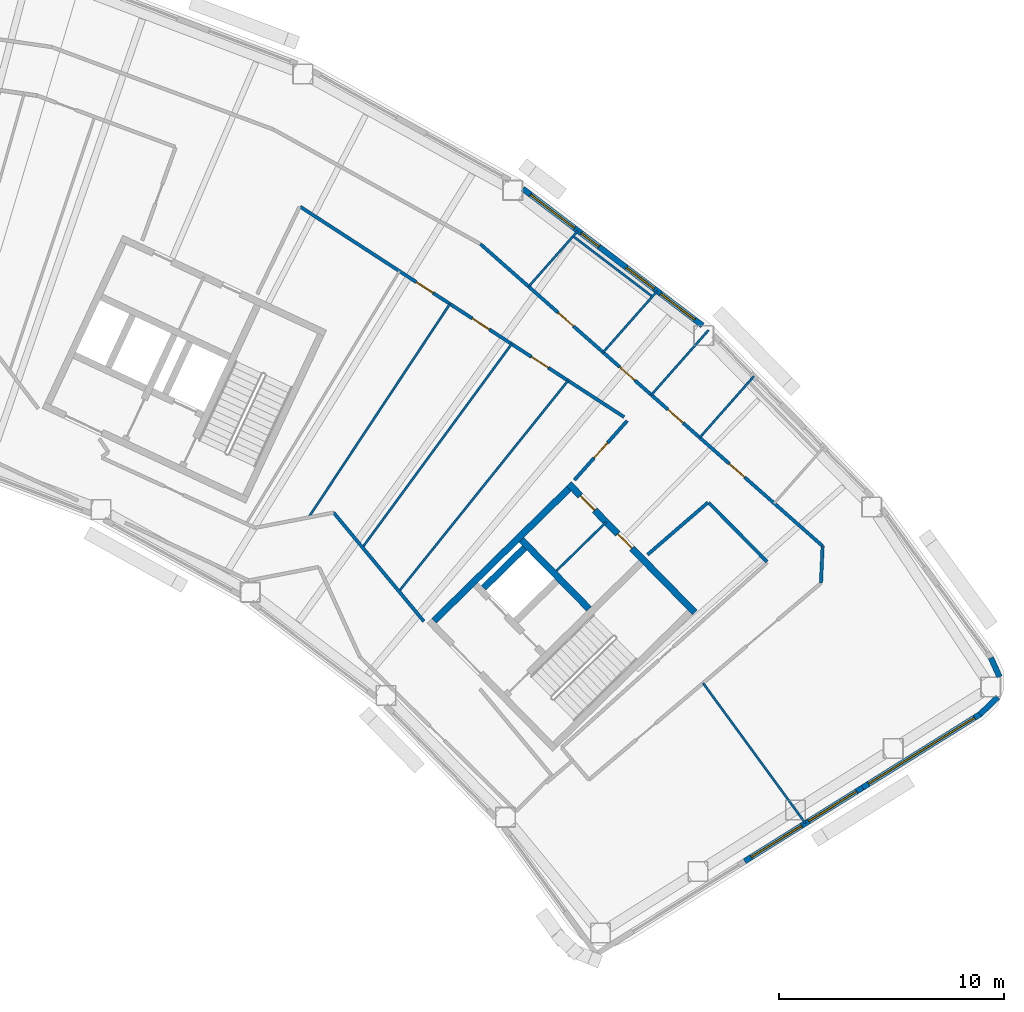
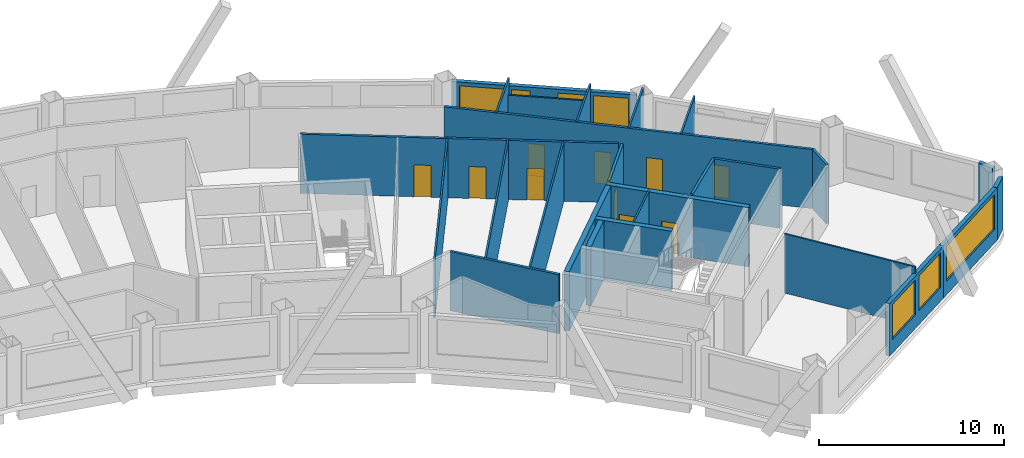
# One storey, part 10 of 14: 26 walls, 10 doors, 7 windows, 17 openings.
"""IFC4 building model written with IfcOpenShell, lengths in metres."""

import ifcopenshell
import ifcopenshell.guid

model = None  # the IFC model being written
_history = None  # IfcOwnerHistory: only IFC2X3 demands one
_inside = {}  # id of a spatial element -> (the spatial element, [elements in it])
_under = {}  # id of a project, library or spatial element -> (it, [spatial elements below it])
_declared = {}  # id of a project -> (the project, [libraries it declares])
_typed = {}  # id of a type object -> (the type object, [elements of that type])
_made_of = {}  # id of a material, layer set ... -> (it, [elements and type objects made of it])


def new_model(schema):
    """Start an empty IFC model of exactly this schema.

    Asked for "IFC4X3", IfcOpenShell would pick the latest addendum, in which some entities
    have other attributes; the version numbers below select the first issue.
    IFC2X3 requires an IfcOwnerHistory on every rooted entity: one is made here for all.
    """
    global model, _history
    if schema == "IFC4X3":
        model = ifcopenshell.file(schema_version=(4, 3, 0, 0))
    else:
        model = ifcopenshell.file(schema=schema)
    _inside.clear()
    _under.clear()
    _declared.clear()
    _typed.clear()
    _made_of.clear()
    _history = None
    if model.schema == "IFC2X3":
        org = make("IfcOrganization", Name="unknown")
        user = make(
            "IfcPersonAndOrganization",
            ThePerson=make("IfcPerson", FamilyName="unknown"),
            TheOrganization=org,
        )
        app = make(
            "IfcApplication",
            ApplicationDeveloper=org,
            Version="unknown",
            ApplicationFullName="unknown",
            ApplicationIdentifier="unknown",
        )
        _history = make(
            "IfcOwnerHistory",
            OwningUser=user,
            OwningApplication=app,
            ChangeAction="ADDED",
            CreationDate=0,
        )
    return model


def make(cls, **values):
    """One entity of the class cls with the attributes given. An attribute that is None is left unset."""
    return model.create_entity(
        cls, **{name: value for name, value in values.items() if value is not None}
    )


def rooted(cls, **values):
    """An entity with a GlobalId (a new one), such as an element, a storey or a relation."""
    return make(cls, GlobalId=ifcopenshell.guid.new(), OwnerHistory=_history, **values)


def si_unit(unit_type, name, prefix=None):
    """IfcSIUnit, for example si_unit("LENGTHUNIT", "METRE", prefix="MILLI")."""
    return make("IfcSIUnit", UnitType=unit_type, Prefix=prefix, Name=name)


def assignment(units):
    """IfcUnitAssignment: the units of a project."""
    return None if units is None else make("IfcUnitAssignment", Units=units)


def point(xyz):
    """IfcCartesianPoint."""
    return None if xyz is None else make("IfcCartesianPoint", Coordinates=xyz)


def direction(xyz):
    """IfcDirection."""
    return None if xyz is None else make("IfcDirection", DirectionRatios=xyz)


def frame(location, z_axis=None, x_axis=None):
    """IfcAxis2Placement3D, a coordinate frame: its origin and axes. An axis left out is left unset."""
    return make(
        "IfcAxis2Placement3D",
        Location=point(location),
        Axis=direction(z_axis),
        RefDirection=direction(x_axis),
    )


def frame_2d(location, x_axis=None):
    """IfcAxis2Placement2D, a coordinate frame in the plane: its origin and x axis."""
    return make(
        "IfcAxis2Placement2D", Location=point(location), RefDirection=direction(x_axis)
    )


def origin():
    """The frame at (0, 0, 0) with its axes left unset."""
    return frame((0.0, 0.0, 0.0))


def place(relative_to, where):
    """IfcLocalPlacement: puts the frame where relative to a parent placement (None: the world)."""
    return make(
        "IfcLocalPlacement", PlacementRelTo=relative_to, RelativePlacement=where
    )


def context(
    kind, dimensions, precision=None, world=None, true_north=None, identifier=None
):
    """IfcGeometricRepresentationContext, for example the 3D "Model" context."""
    return make(
        "IfcGeometricRepresentationContext",
        ContextIdentifier=identifier,
        ContextType=kind,
        CoordinateSpaceDimension=dimensions,
        Precision=precision,
        WorldCoordinateSystem=world,
        TrueNorth=true_north,
    )


def subcontext(parent, identifier, kind, view, scale=None):
    """IfcGeometricRepresentationSubContext, for example "Body" below "Model"."""
    return make(
        "IfcGeometricRepresentationSubContext",
        ContextIdentifier=identifier,
        ContextType=kind,
        ParentContext=parent,
        TargetScale=scale,
        TargetView=view,
    )


def project(units=None, contexts=None):
    """IfcProject with its units and contexts."""
    return rooted(
        "IfcProject",
        Name="project",
        RepresentationContexts=contexts,
        UnitsInContext=assignment(units),
    )


def spatial(cls, under=None, at=None, **own):
    """A site, building, storey or space (cls), placed at a placement, below another one or the project."""
    s = rooted(cls, ObjectPlacement=at, **own)
    if under is not None:
        _under.setdefault(under.id(), (under, []))[1].append(s)
    return s


def profile(cls, at=None, kind="AREA", **sizes):
    """A parametric profile (cls). Its sizes go by their IFC names, for example OverallWidth=200.0."""
    return make(cls, ProfileType=kind, Position=at, **sizes)


def rectangle(**sizes):
    """IfcRectangleProfileDef."""
    return profile("IfcRectangleProfileDef", **sizes)


def extrude(swept, where, along, depth):
    """IfcExtrudedAreaSolid: the profile swept, set in the frame where, extruded along a direction by depth."""
    return make(
        "IfcExtrudedAreaSolid",
        SweptArea=swept,
        Position=where,
        ExtrudedDirection=direction(along),
        Depth=depth,
    )


def shape(context_of_items, identifier, shape_type, items):
    """IfcShapeRepresentation: the items that make up one representation, for example the "Body"."""
    return make(
        "IfcShapeRepresentation",
        ContextOfItems=context_of_items,
        RepresentationIdentifier=identifier,
        RepresentationType=shape_type,
        Items=items,
    )


def material(Name=None, Category=None):
    """IfcMaterial."""
    return make("IfcMaterial", Name=Name, Category=Category)


def layer(
    of_material, thickness, ventilated=None, Name=None, Category=None, Priority=None
):
    """IfcMaterialLayer: one layer of a wall or slab, of a material (None: an air gap)."""
    return make(
        "IfcMaterialLayer",
        Material=of_material,
        LayerThickness=thickness,
        IsVentilated=ventilated,
        Name=Name,
        Category=Category,
        Priority=Priority,
    )


def layer_set(layers, Name=None):
    """IfcMaterialLayerSet."""
    return make("IfcMaterialLayerSet", MaterialLayers=layers, LayerSetName=Name)


def made_of(thing, what):
    """Note that an element or type object is made of a material, layer set ...; save() writes the relation."""
    if what is not None:
        _made_of.setdefault(what.id(), (what, []))[1].append(thing)
    return thing


def type_object(cls, material=None, **own):
    """A type object (cls), such as IfcWallType, which elements share."""
    return made_of(rooted(cls, **own), material)


def element(
    cls,
    number,
    at=None,
    inside=None,
    cuts=None,
    type_object=None,
    material=None,
    context=None,
    identifier="Body",
    shape_type=None,
    held_by="IfcProductDefinitionShape",
    body=None,
    shapes=None,
    **own,
):
    """One element of the class cls, such as IfcWall. Its Tag is "e" and its number.

    at: its placement. inside: the storey or other place that contains it. cuts: it is an
    opening in that element (IfcRelVoidsElement). A single representation is given by context,
    identifier, shape_type and body (its items); several are given by shapes. held_by: the class
    of the entity that holds the representations. save() writes the other relations.
    """
    e = rooted(cls, Tag="e%d" % number, ObjectPlacement=at, **own)
    if body is not None:
        shapes = [shape(context, identifier, shape_type, body)]
    if shapes is not None:
        e.Representation = make(held_by, Representations=shapes)
    if inside is not None:
        _inside.setdefault(inside.id(), (inside, []))[1].append(e)
    if cuts is not None:
        rooted(
            "IfcRelVoidsElement", RelatingBuildingElement=cuts, RelatedOpeningElement=e
        )
    if type_object is not None:
        _typed.setdefault(type_object.id(), (type_object, []))[1].append(e)
    return made_of(e, material)


def fill(opening, filler):
    """IfcRelFillsElement: the door or window that sits in an opening."""
    return rooted(
        "IfcRelFillsElement",
        RelatingOpeningElement=opening,
        RelatedBuildingElement=filler,
    )


def aggregate(whole, parts):
    """IfcRelAggregates: a whole, such as a stair, and the parts it consists of."""
    return rooted("IfcRelAggregates", RelatingObject=whole, RelatedObjects=parts)


def save(model, path):
    """Write the relations noted so far, then the file.

    IfcRelAggregates (storeys below a building ...), IfcRelContainedInSpatialStructure (elements
    in a storey), IfcRelDefinesByType, IfcRelAssociatesMaterial and IfcRelDeclares: one each for
    every whole, place, type object, material and project.
    """
    for whole, parts in _under.values():
        aggregate(whole, parts)
    for where, things in _inside.values():
        rooted(
            "IfcRelContainedInSpatialStructure",
            RelatedElements=things,
            RelatingStructure=where,
        )
    for kind, things in _typed.values():
        rooted("IfcRelDefinesByType", RelatedObjects=things, RelatingType=kind)
    for what, things in _made_of.values():
        rooted("IfcRelAssociatesMaterial", RelatedObjects=things, RelatingMaterial=what)
    for by, libraries in _declared.values():
        rooted("IfcRelDeclares", RelatingContext=by, RelatedDefinitions=libraries)
    model.write(path)


model = new_model("IFC4")

# Units and contexts
model_context = context("Model", 3, precision=1e-05, world=origin(), true_north=direction((0.0, 1.0)))
body_context = subcontext(model_context, "Body", "Model", "MODEL_VIEW")
ifc_project = project(units=[si_unit("LENGTHUNIT", "METRE"), si_unit("AREAUNIT", "SQUARE_METRE"), si_unit("VOLUMEUNIT", "CUBIC_METRE"), si_unit("PLANEANGLEUNIT", "RADIAN"), si_unit("MASSUNIT", "GRAM", prefix="KILO")], contexts=[model_context])

# Site, building, storey
site_placement = place(None, origin())
site = spatial("IfcSite", under=ifc_project, at=site_placement, CompositionType="ELEMENT")
building_placement = place(site_placement, origin())
building = spatial("IfcBuilding", under=site, at=building_placement, Name="Tuul Gate Civic Tower", CompositionType="ELEMENT")
storey_placement = place(building_placement, frame((0.0, 0.0, 217.89990234375)))
storey = spatial("IfcBuildingStorey", under=building, at=storey_placement, Name="Level 49", CompositionType="ELEMENT", Elevation=217.89990234375)

# Wall
ifc_material_1 = material(Name="Concrete C50/60", Category="concrete")
ifc_layer_1 = layer(ifc_material_1, 0.300048828125)
ifc_layer_set_1 = layer_set([ifc_layer_1], Name="Concrete C50/60")
wall_type_1 = type_object("IfcWallType", Name="Core wall C50/60", PredefinedType="SHEAR", material=ifc_layer_set_1)
wall_1_placement = place(storey_placement, frame((49.737060546875, -12.0849609375, 0.0), z_axis=(0.0, 0.0, 1.0), x_axis=(-0.700002721075, 0.714140175657, 0.0)))
element("IfcWall", 1, at=wall_1_placement, inside=storey, type_object=wall_type_1, Name="Core wall", PredefinedType="SHEAR", context=body_context, shape_type="SweptSolid", body=[
    extrude(rectangle(XDim=4.300048828125, YDim=0.300048828125, at=frame_2d((2.14990234375, 0.0))), origin(), (0.0, 0.0, 1.0), 3.900146484375),
])

# Wall, openings, doors
wall_2_placement = place(storey_placement, frame((54.43798828125, -12.23779296875, 0.0), z_axis=(0.0, 0.0, 1.0), x_axis=(-0.700021979774, 0.714121297703, 0.0)))
wall_2 = element("IfcWall", 2, at=wall_2_placement, inside=storey, type_object=wall_type_1, Name="Core wall", PredefinedType="SHEAR", context=body_context, shape_type="SweptSolid", body=[
    extrude(rectangle(XDim=8.0, YDim=0.300048828125, at=frame_2d((4.0, 0.0))), origin(), (0.0, 0.0, 1.0), 3.900146484375),
])
opening_1_placement = place(wall_2_placement, frame((3.987548828125, 0.0, 0.0)))
opening_1 = element("IfcOpeningElement", 3, at=opening_1_placement, cuts=wall_2, Name="Opening R-D45", PredefinedType="OPENING", context=body_context, shape_type="SweptSolid", body=[
    extrude(rectangle(XDim=0.89990234375, YDim=2.10009765625, at=frame_2d((0.449951171875, 1.050048828125))), frame((0.0, 0.16015625, 0.0), z_axis=(0.0, -1.0, 0.0), x_axis=(1.0, 0.0, 0.0)), (0.0, 0.0, 1.0), 0.320068359375),
])
opening_2_placement = place(wall_2_placement, frame((6.362548828125, 0.0, 0.0)))
opening_2 = element("IfcOpeningElement", 4, at=opening_2_placement, cuts=wall_2, Name="Opening R-D46", PredefinedType="OPENING", context=body_context, shape_type="SweptSolid", body=[
    extrude(rectangle(XDim=0.89990234375, YDim=2.10009765625, at=frame_2d((0.449951171875, 1.050048828125))), frame((0.0, 0.16015625, 0.0), z_axis=(0.0, -1.0, 0.0), x_axis=(1.0, 0.0, 0.0)), (0.0, 0.0, 1.0), 0.320068359375),
])
ifc_material_2 = material(Name="Timber door leaf", Category="wood")
door_type = type_object("IfcDoorType", Name="Door D09", OperationType="NOTDEFINED", PredefinedType="DOOR", material=ifc_material_2)
door_1_placement = place(opening_1_placement, origin())
door_1 = element("IfcDoor", 5, at=door_1_placement, inside=storey, type_object=door_type, Name="Door R-D45", OperationType="SINGLE_SWING_LEFT", OverallHeight=2.10009765625, OverallWidth=0.89990234375, PredefinedType="DOOR", context=body_context, shape_type="SweptSolid", body=[
    extrude(rectangle(XDim=0.89990234375, YDim=2.10009765625, at=frame_2d((0.449951171875, 1.050048828125))), frame((0.0, 0.02490234375, 0.0), z_axis=(0.0, -1.0, 0.0), x_axis=(1.0, 0.0, 0.0)), (0.0, 0.0, 1.0), 0.050048828125),
])
fill(opening_1, door_1)
door_2_placement = place(opening_2_placement, origin())
door_2 = element("IfcDoor", 6, at=door_2_placement, inside=storey, type_object=door_type, Name="Door R-D46", OperationType="SINGLE_SWING_LEFT", OverallHeight=2.10009765625, OverallWidth=0.89990234375, PredefinedType="DOOR", context=body_context, shape_type="SweptSolid", body=[
    extrude(rectangle(XDim=0.89990234375, YDim=2.10009765625, at=frame_2d((0.449951171875, 1.050048828125))), frame((0.0, 0.02490234375, 0.0), z_axis=(0.0, -1.0, 0.0), x_axis=(1.0, 0.0, 0.0)), (0.0, 0.0, 1.0), 0.050048828125),
])
fill(opening_2, door_2)

# Walls
wall_3_placement = place(storey_placement, frame((45.0439453125, -11.154052734375, 0.0), z_axis=(0.0, 0.0, 1.0), x_axis=(0.714108498262, 0.700035036773, 0.0)))
element("IfcWall", 7, at=wall_3_placement, inside=storey, type_object=wall_type_1, Name="Core wall", PredefinedType="SHEAR", context=body_context, shape_type="SweptSolid", body=[
    extrude(rectangle(XDim=2.550048828125, YDim=0.300048828125, at=frame_2d((1.27490234375, 0.0))), origin(), (0.0, 0.0, 1.0), 3.900146484375),
])
wall_4_placement = place(storey_placement, frame((42.837158203125, -12.616943359375, 0.0), z_axis=(0.0, 0.0, 1.0), x_axis=(0.714119844755, 0.700023461983, 0.0)))
element("IfcWall", 8, at=wall_4_placement, inside=storey, type_object=wall_type_1, Name="Core wall", PredefinedType="SHEAR", context=body_context, shape_type="SweptSolid", body=[
    extrude(rectangle(XDim=8.39990234375, YDim=0.300048828125, at=frame_2d((4.199951171875, 0.0))), origin(), (0.0, 0.0, 1.0), 3.900146484375),
])

# Wall, openings, doors
ifc_material_3 = material(Name="Gypsum board partition")
ifc_layer_2 = layer(ifc_material_3, 0.14990234375)
ifc_layer_set_2 = layer_set([ifc_layer_2], Name="Gypsum board partition")
wall_type_2 = type_object("IfcWallType", Name="Corridor wall P150", PredefinedType="PARTITIONING", material=ifc_layer_set_2)
wall_5_placement = place(storey_placement, frame((44.901611328125, 4.151611328125, 0.0), z_axis=(0.0, 0.0, 1.0), x_axis=(0.749748397093, -0.661723009315, 0.0)))
wall_5 = element("IfcWall", 9, at=wall_5_placement, inside=storey, type_object=wall_type_2, Name="p002", PredefinedType="PARTITIONING", context=body_context, shape_type="SweptSolid", body=[
    extrude(rectangle(XDim=20.310546875, YDim=0.14990234375, at=frame_2d((10.1552734375, 0.0))), origin(), (0.0, 0.0, 1.0), 3.900146484375),
])
opening_3_placement = place(wall_5_placement, frame((14.778564453125, 0.0, 0.0)))
opening_3 = element("IfcOpeningElement", 10, at=opening_3_placement, cuts=wall_5, Name="Opening R-D01", PredefinedType="OPENING", context=body_context, shape_type="SweptSolid", body=[
    extrude(rectangle(XDim=0.89990234375, YDim=2.10009765625, at=frame_2d((0.449951171875, 1.050048828125))), frame((0.0, 0.0849609375, 0.0), z_axis=(0.0, -1.0, 0.0), x_axis=(1.0, 0.0, 0.0)), (0.0, 0.0, 1.0), 0.169921875),
])
opening_4_placement = place(wall_5_placement, frame((4.6240234375, 0.0, 0.0)))
opening_4 = element("IfcOpeningElement", 11, at=opening_4_placement, cuts=wall_5, Name="Opening R-D02", PredefinedType="OPENING", context=body_context, shape_type="SweptSolid", body=[
    extrude(rectangle(XDim=0.89990234375, YDim=2.10009765625, at=frame_2d((0.449951171875, 1.050048828125))), frame((0.0, 0.0849609375, 0.0), z_axis=(0.0, -1.0, 0.0), x_axis=(1.0, 0.0, 0.0)), (0.0, 0.0, 1.0), 0.169921875),
])
opening_5_placement = place(wall_5_placement, frame((11.13232421875, 0.0, 0.0)))
opening_5 = element("IfcOpeningElement", 12, at=opening_5_placement, cuts=wall_5, Name="Opening R-D40", PredefinedType="OPENING", context=body_context, shape_type="SweptSolid", body=[
    extrude(rectangle(XDim=0.89990234375, YDim=2.10009765625, at=frame_2d((0.449951171875, 1.050048828125))), frame((0.0, 0.0849609375, 0.0), z_axis=(0.0, -1.0, 0.0), x_axis=(1.0, 0.0, 0.0)), (0.0, 0.0, 1.0), 0.169921875),
])
opening_6_placement = place(wall_5_placement, frame((8.26611328125, 0.0, 0.0)))
opening_6 = element("IfcOpeningElement", 13, at=opening_6_placement, cuts=wall_5, Name="Opening R-D41", PredefinedType="OPENING", context=body_context, shape_type="SweptSolid", body=[
    extrude(rectangle(XDim=0.89990234375, YDim=2.10009765625, at=frame_2d((0.449951171875, 1.050048828125))), frame((0.0, 0.0849609375, 0.0), z_axis=(0.0, -1.0, 0.0), x_axis=(1.0, 0.0, 0.0)), (0.0, 0.0, 1.0), 0.169921875),
])
door_3_placement = place(opening_3_placement, origin())
door_3 = element("IfcDoor", 14, at=door_3_placement, inside=storey, type_object=door_type, Name="Door R-D01", OperationType="SINGLE_SWING_RIGHT", OverallHeight=2.10009765625, OverallWidth=0.89990234375, PredefinedType="DOOR", context=body_context, shape_type="SweptSolid", body=[
    extrude(rectangle(XDim=0.89990234375, YDim=2.10009765625, at=frame_2d((0.449951171875, 1.050048828125))), frame((0.0, 0.02490234375, 0.0), z_axis=(0.0, -1.0, 0.0), x_axis=(1.0, 0.0, 0.0)), (0.0, 0.0, 1.0), 0.050048828125),
])
fill(opening_3, door_3)
door_4_placement = place(opening_4_placement, origin())
door_4 = element("IfcDoor", 15, at=door_4_placement, inside=storey, type_object=door_type, Name="Door R-D02", OperationType="SINGLE_SWING_RIGHT", OverallHeight=2.10009765625, OverallWidth=0.89990234375, PredefinedType="DOOR", context=body_context, shape_type="SweptSolid", body=[
    extrude(rectangle(XDim=0.89990234375, YDim=2.10009765625, at=frame_2d((0.449951171875, 1.050048828125))), frame((0.0, 0.02490234375, 0.0), z_axis=(0.0, -1.0, 0.0), x_axis=(1.0, 0.0, 0.0)), (0.0, 0.0, 1.0), 0.050048828125),
])
fill(opening_4, door_4)
door_5_placement = place(opening_5_placement, origin())
door_5 = element("IfcDoor", 16, at=door_5_placement, inside=storey, type_object=door_type, Name="Door R-D40", OperationType="SINGLE_SWING_RIGHT", OverallHeight=2.10009765625, OverallWidth=0.89990234375, PredefinedType="DOOR", context=body_context, shape_type="SweptSolid", body=[
    extrude(rectangle(XDim=0.89990234375, YDim=2.10009765625, at=frame_2d((0.449951171875, 1.050048828125))), frame((0.0, 0.02490234375, 0.0), z_axis=(0.0, -1.0, 0.0), x_axis=(1.0, 0.0, 0.0)), (0.0, 0.0, 1.0), 0.050048828125),
])
fill(opening_5, door_5)
door_6_placement = place(opening_6_placement, origin())
door_6 = element("IfcDoor", 17, at=door_6_placement, inside=storey, type_object=door_type, Name="Door R-D41", OperationType="SINGLE_SWING_RIGHT", OverallHeight=2.10009765625, OverallWidth=0.89990234375, PredefinedType="DOOR", context=body_context, shape_type="SweptSolid", body=[
    extrude(rectangle(XDim=0.89990234375, YDim=2.10009765625, at=frame_2d((0.449951171875, 1.050048828125))), frame((0.0, 0.02490234375, 0.0), z_axis=(0.0, -1.0, 0.0), x_axis=(1.0, 0.0, 0.0)), (0.0, 0.0, 1.0), 0.050048828125),
])
fill(opening_6, door_6)

# Walls
wall_6_placement = place(storey_placement, frame((38.372314453125, -7.80126953125, 0.0), z_axis=(0.0, 0.0, 1.0), x_axis=(0.638685522196, -0.769467870504, 0.0)))
element("IfcWall", 18, at=wall_6_placement, inside=storey, type_object=wall_type_2, Name="p042", PredefinedType="PARTITIONING", context=body_context, shape_type="SweptSolid", body=[
    extrude(rectangle(XDim=6.285400390625, YDim=0.14990234375, at=frame_2d((3.142578125, 0.0))), origin(), (0.0, 0.0, 1.0), 3.900146484375),
])
wall_7_placement = place(storey_placement, frame((52.342041015625, -9.67041015625, 0.0), z_axis=(0.0, 0.0, 1.0), x_axis=(0.756530576772, 0.653958321615, 0.0)))
element("IfcWall", 19, at=wall_7_placement, inside=storey, type_object=wall_type_2, Name="p045", PredefinedType="PARTITIONING", context=body_context, shape_type="SweptSolid", body=[
    extrude(rectangle(XDim=3.548828125, YDim=0.14990234375, at=frame_2d((1.7744140625, 0.0))), origin(), (0.0, 0.0, 1.0), 3.900146484375),
])
wall_8_placement = place(storey_placement, frame((55.054931640625, -7.350830078125, 0.0), z_axis=(0.0, 0.0, 1.0), x_axis=(0.702549843229, -0.711634539478, 0.0)))
element("IfcWall", 20, at=wall_8_placement, inside=storey, type_object=wall_type_2, Name="p046", PredefinedType="PARTITIONING", context=body_context, shape_type="SweptSolid", body=[
    extrude(rectangle(XDim=3.70849609375, YDim=0.14990234375, at=frame_2d((1.854248046875, 0.0))), origin(), (0.0, 0.0, 1.0), 3.900146484375),
])

# Wall, openings, doors
wall_9_placement = place(storey_placement, frame((36.884521484375, 5.811767578125, 0.0), z_axis=(0.0, 0.0, 1.0), x_axis=(0.838708980569, -0.544579880195, 0.0)))
wall_9 = element("IfcWall", 21, at=wall_9_placement, inside=storey, type_object=wall_type_2, Name="p050", PredefinedType="PARTITIONING", context=body_context, shape_type="SweptSolid", body=[
    extrude(rectangle(XDim=17.187744140625, YDim=0.14990234375, at=frame_2d((8.59375, 0.0))), origin(), (0.0, 0.0, 1.0), 3.900146484375),
])
opening_7_placement = place(wall_9_placement, frame((12.264404296875, 0.0, 0.0)))
opening_7 = element("IfcOpeningElement", 22, at=opening_7_placement, cuts=wall_9, Name="Opening R-D13", PredefinedType="OPENING", context=body_context, shape_type="SweptSolid", body=[
    extrude(rectangle(XDim=0.89990234375, YDim=2.10009765625, at=frame_2d((0.449951171875, 1.050048828125))), frame((0.0, 0.0849609375, 0.0), z_axis=(0.0, -1.0, 0.0), x_axis=(1.0, 0.0, 0.0)), (0.0, 0.0, 1.0), 0.169921875),
])
opening_8_placement = place(wall_9_placement, frame((9.13134765625, 0.0, 0.0)))
opening_8 = element("IfcOpeningElement", 23, at=opening_8_placement, cuts=wall_9, Name="Opening R-D14", PredefinedType="OPENING", context=body_context, shape_type="SweptSolid", body=[
    extrude(rectangle(XDim=0.89990234375, YDim=2.10009765625, at=frame_2d((0.449951171875, 1.050048828125))), frame((0.0, 0.0849609375, 0.0), z_axis=(0.0, -1.0, 0.0), x_axis=(1.0, 0.0, 0.0)), (0.0, 0.0, 1.0), 0.169921875),
])
opening_9_placement = place(wall_9_placement, frame((6.156005859375, 0.0, 0.0)))
opening_9 = element("IfcOpeningElement", 24, at=opening_9_placement, cuts=wall_9, Name="Opening R-D15", PredefinedType="OPENING", context=body_context, shape_type="SweptSolid", body=[
    extrude(rectangle(XDim=0.89990234375, YDim=2.10009765625, at=frame_2d((0.449951171875, 1.050048828125))), frame((0.0, 0.0849609375, 0.0), z_axis=(0.0, -1.0, 0.0), x_axis=(1.0, 0.0, 0.0)), (0.0, 0.0, 1.0), 0.169921875),
])
door_7_placement = place(opening_7_placement, frame((0.89990234375, 0.0, 0.0), z_axis=(0.0, 0.0, 1.0), x_axis=(-1.0, 0.0, 0.0)))
door_7 = element("IfcDoor", 25, at=door_7_placement, inside=storey, type_object=door_type, Name="Door R-D13", OperationType="SINGLE_SWING_LEFT", OverallHeight=2.10009765625, OverallWidth=0.89990234375, PredefinedType="DOOR", context=body_context, shape_type="SweptSolid", body=[
    extrude(rectangle(XDim=0.89990234375, YDim=2.10009765625, at=frame_2d((0.449951171875, 1.050048828125))), frame((0.0, 0.02490234375, 0.0), z_axis=(0.0, -1.0, 0.0), x_axis=(1.0, 0.0, 0.0)), (0.0, 0.0, 1.0), 0.050048828125),
])
fill(opening_7, door_7)
door_8_placement = place(opening_8_placement, frame((0.89990234375, 0.0, 0.0), z_axis=(0.0, 0.0, 1.0), x_axis=(-1.0, 0.0, 0.0)))
door_8 = element("IfcDoor", 26, at=door_8_placement, inside=storey, type_object=door_type, Name="Door R-D14", OperationType="SINGLE_SWING_LEFT", OverallHeight=2.10009765625, OverallWidth=0.89990234375, PredefinedType="DOOR", context=body_context, shape_type="SweptSolid", body=[
    extrude(rectangle(XDim=0.89990234375, YDim=2.10009765625, at=frame_2d((0.449951171875, 1.050048828125))), frame((0.0, 0.02490234375, 0.0), z_axis=(0.0, -1.0, 0.0), x_axis=(1.0, 0.0, 0.0)), (0.0, 0.0, 1.0), 0.050048828125),
])
fill(opening_8, door_8)
door_9_placement = place(opening_9_placement, frame((0.89990234375, 0.0, 0.0), z_axis=(0.0, 0.0, 1.0), x_axis=(-1.0, 0.0, 0.0)))
door_9 = element("IfcDoor", 27, at=door_9_placement, inside=storey, type_object=door_type, Name="Door R-D15", OperationType="SINGLE_SWING_LEFT", OverallHeight=2.10009765625, OverallWidth=0.89990234375, PredefinedType="DOOR", context=body_context, shape_type="SweptSolid", body=[
    extrude(rectangle(XDim=0.89990234375, YDim=2.10009765625, at=frame_2d((0.449951171875, 1.050048828125))), frame((0.0, 0.02490234375, 0.0), z_axis=(0.0, -1.0, 0.0), x_axis=(1.0, 0.0, 0.0)), (0.0, 0.0, 1.0), 0.050048828125),
])
fill(opening_9, door_9)

# Wall, opening, door
wall_10_placement = place(storey_placement, frame((49.08740234375, -6.349853515625, 0.0), z_axis=(0.0, 0.0, 1.0), x_axis=(0.664668424828, 0.747138464434, 0.0)))
wall_10 = element("IfcWall", 28, at=wall_10_placement, inside=storey, type_object=wall_type_2, Name="p051", PredefinedType="PARTITIONING", context=body_context, shape_type="SweptSolid", body=[
    extrude(rectangle(XDim=3.53173828125, YDim=0.14990234375, at=frame_2d((1.765869140625, 0.0))), origin(), (0.0, 0.0, 1.0), 3.900146484375),
])
opening_10_placement = place(wall_10_placement, frame((1.31591796875, 0.0, 0.0)))
opening_10 = element("IfcOpeningElement", 29, at=opening_10_placement, cuts=wall_10, Name="Opening R-D12", PredefinedType="OPENING", context=body_context, shape_type="SweptSolid", body=[
    extrude(rectangle(XDim=0.89990234375, YDim=2.10009765625, at=frame_2d((0.449951171875, 1.050048828125))), frame((0.0, 0.0849609375, 0.0), z_axis=(0.0, -1.0, 0.0), x_axis=(1.0, 0.0, 0.0)), (0.0, 0.0, 1.0), 0.169921875),
])
door_10_placement = place(opening_10_placement, origin())
door_10 = element("IfcDoor", 30, at=door_10_placement, inside=storey, type_object=door_type, Name="Door R-D12", OperationType="SINGLE_SWING_RIGHT", OverallHeight=2.10009765625, OverallWidth=0.89990234375, PredefinedType="DOOR", context=body_context, shape_type="SweptSolid", body=[
    extrude(rectangle(XDim=0.89990234375, YDim=2.10009765625, at=frame_2d((0.449951171875, 1.050048828125))), frame((0.0, 0.02490234375, 0.0), z_axis=(0.0, -1.0, 0.0), x_axis=(1.0, 0.0, 0.0)), (0.0, 0.0, 1.0), 0.050048828125),
])
fill(opening_10, door_10)

# Walls
wall_11_placement = place(storey_placement, frame((60.05615234375, -10.93701171875, 0.0), z_axis=(0.0, 0.0, 1.0), x_axis=(0.044380927641, 0.999014681204, 0.0)))
element("IfcWall", 31, at=wall_11_placement, inside=storey, type_object=wall_type_2, Name="p109", PredefinedType="PARTITIONING", context=body_context, shape_type="SweptSolid", body=[
    extrude(rectangle(XDim=1.650390625, YDim=0.14990234375, at=frame_2d((0.8251953125, 0.0))), origin(), (0.0, 0.0, 1.0), 3.900146484375),
])
ifc_material_4 = material(Name="Precast concrete C40/50", Category="concrete")
ifc_layer_3 = layer(ifc_material_4, 0.25)
ifc_layer_set_3 = layer_set([ifc_layer_3], Name="Precast concrete C40/50")
wall_type_3 = type_object("IfcWallType", Name="External wall", PredefinedType="STANDARD", material=ifc_layer_set_3)
wall_12_placement = place(storey_placement, frame((67.129638671875, -16.775634765625, 0.0), z_axis=(0.0, 0.0, 1.0), x_axis=(0.722112640162, 0.691775494592, 0.0)))
element("IfcWall", 32, at=wall_12_placement, inside=storey, type_object=wall_type_3, Name="External wall", PredefinedType="STANDARD", context=body_context, shape_type="SweptSolid", body=[
    extrude(rectangle(XDim=1.1025390625, YDim=0.25, at=frame_2d((0.55126953125, 0.0))), origin(), (0.0, 0.0, 1.0), 3.4501953125),
])
wall_13_placement = place(storey_placement, frame((68.0029296875, -15.113037109375, 0.0), z_axis=(0.0, 0.0, 1.0), x_axis=(-0.411921142617, 0.911219497303, 0.0)))
element("IfcWall", 33, at=wall_13_placement, inside=storey, type_object=wall_type_3, Name="External wall", PredefinedType="STANDARD", context=body_context, shape_type="SweptSolid", body=[
    extrude(rectangle(XDim=0.938720703125, YDim=0.25, at=frame_2d((0.46923828125, 0.0))), origin(), (0.0, 0.0, 1.0), 3.4501953125),
])

# Wall, openings, windows
wall_14_placement = place(storey_placement, frame((54.782470703125, 0.52490234375, 0.0), z_axis=(0.0, 0.0, 1.0), x_axis=(-0.795600211162, 0.605822006862, 0.0)))
wall_14 = element("IfcWall", 34, at=wall_14_placement, inside=storey, type_object=wall_type_3, Name="External wall", PredefinedType="STANDARD", context=body_context, shape_type="SweptSolid", body=[
    extrude(rectangle(XDim=10.043212890625, YDim=0.25, at=frame_2d((5.021484375, 0.0))), origin(), (0.0, 0.0, 1.0), 3.4501953125),
])
opening_11_placement = place(wall_14_placement, frame((5.784912109375, 0.0, 0.89990234375)))
opening_11 = element("IfcOpeningElement", 35, at=opening_11_placement, cuts=wall_14, Name="Opening W57", PredefinedType="OPENING", context=body_context, shape_type="SweptSolid", body=[
    extrude(rectangle(XDim=1.0, YDim=2.300048828125, at=frame_2d((0.5, 1.14990234375))), frame((0.0, 0.135009765625, 0.0), z_axis=(0.0, -1.0, 0.0), x_axis=(1.0, 0.0, 0.0)), (0.0, 0.0, 1.0), 0.27001953125),
])
opening_12_placement = place(wall_14_placement, frame((7.159912109375, 0.0, 0.89990234375)))
opening_12 = element("IfcOpeningElement", 36, at=opening_12_placement, cuts=wall_14, Name="Opening W56", PredefinedType="OPENING", context=body_context, shape_type="SweptSolid", body=[
    extrude(rectangle(XDim=2.449951171875, YDim=2.300048828125, at=frame_2d((1.22509765625, 1.14990234375))), frame((0.0, 0.135009765625, 0.0), z_axis=(0.0, -1.0, 0.0), x_axis=(1.0, 0.0, 0.0)), (0.0, 0.0, 1.0), 0.27001953125),
])
opening_13_placement = place(wall_14_placement, frame((0.433349609375, 0.0, 0.89990234375)))
opening_13 = element("IfcOpeningElement", 37, at=opening_13_placement, cuts=wall_14, Name="Opening W59", PredefinedType="OPENING", context=body_context, shape_type="SweptSolid", body=[
    extrude(rectangle(XDim=1.89990234375, YDim=2.300048828125, at=frame_2d((0.949951171875, 1.14990234375))), frame((0.0, 0.135009765625, 0.0), z_axis=(0.0, -1.0, 0.0), x_axis=(1.0, 0.0, 0.0)), (0.0, 0.0, 1.0), 0.27001953125),
])
opening_14_placement = place(wall_14_placement, frame((2.708251953125, 0.0, 0.89990234375)))
opening_14 = element("IfcOpeningElement", 38, at=opening_14_placement, cuts=wall_14, Name="Opening W60", PredefinedType="OPENING", context=body_context, shape_type="SweptSolid", body=[
    extrude(rectangle(XDim=1.550048828125, YDim=2.300048828125, at=frame_2d((0.77490234375, 1.14990234375))), frame((0.0, 0.135009765625, 0.0), z_axis=(0.0, -1.0, 0.0), x_axis=(1.0, 0.0, 0.0)), (0.0, 0.0, 1.0), 0.27001953125),
])
ifc_material_5 = material(Name="Glass", Category="glass")
window_type_1 = type_object("IfcWindowType", Name="Window 1000 x 2300", PartitioningType="SINGLE_PANEL", PredefinedType="WINDOW", material=ifc_material_5)
window_1_placement = place(opening_11_placement, origin())
window_1 = element("IfcWindow", 39, at=window_1_placement, inside=storey, type_object=window_type_1, Name="Window", OverallHeight=2.300048828125, OverallWidth=1.0, PartitioningType="SINGLE_PANEL", PredefinedType="WINDOW", context=body_context, shape_type="SweptSolid", body=[
    extrude(rectangle(XDim=1.0, YDim=2.300048828125, at=frame_2d((0.5, 1.14990234375))), frame((0.0, 0.030029296875, 0.0), z_axis=(0.0, -1.0, 0.0), x_axis=(1.0, 0.0, 0.0)), (0.0, 0.0, 1.0), 0.06005859375),
])
fill(opening_11, window_1)
ifc_material_6 = material(Name="Glass", Category="glass")
window_type_2 = type_object("IfcWindowType", Name="Window 1550 x 2300", PartitioningType="SINGLE_PANEL", PredefinedType="WINDOW", material=ifc_material_6)
window_2_placement = place(opening_14_placement, origin())
window_2 = element("IfcWindow", 40, at=window_2_placement, inside=storey, type_object=window_type_2, Name="Window", OverallHeight=2.300048828125, OverallWidth=1.550048828125, PartitioningType="SINGLE_PANEL", PredefinedType="WINDOW", context=body_context, shape_type="SweptSolid", body=[
    extrude(rectangle(XDim=1.550048828125, YDim=2.300048828125, at=frame_2d((0.77490234375, 1.14990234375))), frame((0.0, 0.030029296875, 0.0), z_axis=(0.0, -1.0, 0.0), x_axis=(1.0, 0.0, 0.0)), (0.0, 0.0, 1.0), 0.06005859375),
])
fill(opening_14, window_2)
ifc_material_7 = material(Name="Glass", Category="glass")
window_type_3 = type_object("IfcWindowType", Name="Window 1900 x 2300", PartitioningType="SINGLE_PANEL", PredefinedType="WINDOW", material=ifc_material_7)
window_3_placement = place(opening_13_placement, origin())
window_3 = element("IfcWindow", 41, at=window_3_placement, inside=storey, type_object=window_type_3, Name="Window", OverallHeight=2.300048828125, OverallWidth=1.89990234375, PartitioningType="SINGLE_PANEL", PredefinedType="WINDOW", context=body_context, shape_type="SweptSolid", body=[
    extrude(rectangle(XDim=1.89990234375, YDim=2.300048828125, at=frame_2d((0.949951171875, 1.14990234375))), frame((0.0, 0.030029296875, 0.0), z_axis=(0.0, -1.0, 0.0), x_axis=(1.0, 0.0, 0.0)), (0.0, 0.0, 1.0), 0.06005859375),
])
fill(opening_13, window_3)
ifc_material_8 = material(Name="Glass", Category="glass")
window_type_4 = type_object("IfcWindowType", Name="Window 2450 x 2300", PartitioningType="SINGLE_PANEL", PredefinedType="WINDOW", material=ifc_material_8)
window_4_placement = place(opening_12_placement, origin())
window_4 = element("IfcWindow", 42, at=window_4_placement, inside=storey, type_object=window_type_4, Name="Window", OverallHeight=2.300048828125, OverallWidth=2.449951171875, PartitioningType="SINGLE_PANEL", PredefinedType="WINDOW", context=body_context, shape_type="SweptSolid", body=[
    extrude(rectangle(XDim=2.449951171875, YDim=2.300048828125, at=frame_2d((1.22509765625, 1.14990234375))), frame((0.0, 0.030029296875, 0.0), z_axis=(0.0, -1.0, 0.0), x_axis=(1.0, 0.0, 0.0)), (0.0, 0.0, 1.0), 0.06005859375),
])
fill(opening_12, window_4)

wall_15_placement = place(storey_placement, frame((56.6630859375, -23.312744140625, 0.0), z_axis=(0.0, 0.0, 1.0), x_axis=(0.848053758074, 0.529910203164, 0.0)))
wall_15 = element("IfcWall", 43, at=wall_15_placement, inside=storey, type_object=wall_type_3, Name="External wall", PredefinedType="STANDARD", context=body_context, shape_type="SweptSolid", body=[
    extrude(rectangle(XDim=6.182861328125, YDim=0.25, at=frame_2d((3.09130859375, 0.0))), origin(), (0.0, 0.0, 1.0), 3.4501953125),
])
opening_15_placement = place(wall_15_placement, frame((0.339111328125, 0.0, 0.89990234375)))
opening_15 = element("IfcOpeningElement", 44, at=opening_15_placement, cuts=wall_15, Name="Opening W37", PredefinedType="OPENING", context=body_context, shape_type="SweptSolid", body=[
    extrude(rectangle(XDim=2.64990234375, YDim=2.300048828125, at=frame_2d((1.324951171875, 1.14990234375))), frame((0.0, 0.135009765625, 0.0), z_axis=(0.0, -1.0, 0.0), x_axis=(1.0, 0.0, 0.0)), (0.0, 0.0, 1.0), 0.27001953125),
])
opening_16_placement = place(wall_15_placement, frame((3.3642578125, 0.0, 0.89990234375)))
opening_16 = element("IfcOpeningElement", 45, at=opening_16_placement, cuts=wall_15, Name="Opening W38", PredefinedType="OPENING", context=body_context, shape_type="SweptSolid", body=[
    extrude(rectangle(XDim=2.5, YDim=2.300048828125, at=frame_2d((1.25, 1.14990234375))), frame((0.0, 0.135009765625, 0.0), z_axis=(0.0, -1.0, 0.0), x_axis=(1.0, 0.0, 0.0)), (0.0, 0.0, 1.0), 0.27001953125),
])
ifc_material_9 = material(Name="Glass", Category="glass")
window_type_5 = type_object("IfcWindowType", Name="Window 2500 x 2300", PartitioningType="SINGLE_PANEL", PredefinedType="WINDOW", material=ifc_material_9)
window_5_placement = place(opening_16_placement, origin())
window_5 = element("IfcWindow", 46, at=window_5_placement, inside=storey, type_object=window_type_5, Name="Window", OverallHeight=2.300048828125, OverallWidth=2.5, PartitioningType="SINGLE_PANEL", PredefinedType="WINDOW", context=body_context, shape_type="SweptSolid", body=[
    extrude(rectangle(XDim=2.5, YDim=2.300048828125, at=frame_2d((1.25, 1.14990234375))), frame((0.0, 0.030029296875, 0.0), z_axis=(0.0, -1.0, 0.0), x_axis=(1.0, 0.0, 0.0)), (0.0, 0.0, 1.0), 0.06005859375),
])
fill(opening_16, window_5)
ifc_material_10 = material(Name="Glass", Category="glass")
window_type_6 = type_object("IfcWindowType", Name="Window 2650 x 2300", PartitioningType="SINGLE_PANEL", PredefinedType="WINDOW", material=ifc_material_10)
window_6_placement = place(opening_15_placement, origin())
window_6 = element("IfcWindow", 47, at=window_6_placement, inside=storey, type_object=window_type_6, Name="Window", OverallHeight=2.300048828125, OverallWidth=2.64990234375, PartitioningType="SINGLE_PANEL", PredefinedType="WINDOW", context=body_context, shape_type="SweptSolid", body=[
    extrude(rectangle(XDim=2.64990234375, YDim=2.300048828125, at=frame_2d((1.324951171875, 1.14990234375))), frame((0.0, 0.030029296875, 0.0), z_axis=(0.0, -1.0, 0.0), x_axis=(1.0, 0.0, 0.0)), (0.0, 0.0, 1.0), 0.06005859375),
])
fill(opening_15, window_6)

# Wall, opening, window
wall_16_placement = place(storey_placement, frame((61.906494140625, -20.036376953125, 0.0), z_axis=(0.0, 0.0, 1.0), x_axis=(0.848042669488, 0.529927948619, 0.0)))
wall_16 = element("IfcWall", 48, at=wall_16_placement, inside=storey, type_object=wall_type_3, Name="External wall", PredefinedType="STANDARD", context=body_context, shape_type="SweptSolid", body=[
    extrude(rectangle(XDim=6.1826171875, YDim=0.25, at=frame_2d((3.09130859375, 0.0))), origin(), (0.0, 0.0, 1.0), 3.4501953125),
])
opening_17_placement = place(wall_16_placement, frame((0.31640625, 0.0, 0.89990234375)))
opening_17 = element("IfcOpeningElement", 49, at=opening_17_placement, cuts=wall_16, Name="Opening W24", PredefinedType="OPENING", context=body_context, shape_type="SweptSolid", body=[
    extrude(rectangle(XDim=5.550048828125, YDim=2.300048828125, at=frame_2d((2.77490234375, 1.14990234375))), frame((0.0, 0.135009765625, 0.0), z_axis=(0.0, -1.0, 0.0), x_axis=(1.0, 0.0, 0.0)), (0.0, 0.0, 1.0), 0.27001953125),
])
ifc_material_11 = material(Name="Glass", Category="glass")
window_type_7 = type_object("IfcWindowType", Name="Window W24 5550 x 2300", PartitioningType="SINGLE_PANEL", PredefinedType="WINDOW", material=ifc_material_11)
window_7_placement = place(opening_17_placement, origin())
window_7 = element("IfcWindow", 50, at=window_7_placement, inside=storey, type_object=window_type_7, Name="Window", OverallHeight=2.300048828125, OverallWidth=5.550048828125, PartitioningType="SINGLE_PANEL", PredefinedType="WINDOW", context=body_context, shape_type="SweptSolid", body=[
    extrude(rectangle(XDim=5.550048828125, YDim=2.300048828125, at=frame_2d((2.77490234375, 1.14990234375))), frame((0.0, 0.030029296875, 0.0), z_axis=(0.0, -1.0, 0.0), x_axis=(1.0, 0.0, 0.0)), (0.0, 0.0, 1.0), 0.06005859375),
])
fill(opening_17, window_7)

# Walls
ifc_material_12 = material(Name="Gypsum board partition")
ifc_layer_4 = layer(ifc_material_12, 0.10009765625)
ifc_layer_set_4 = layer_set([ifc_layer_4], Name="Gypsum board partition")
wall_type_4 = type_object("IfcWallType", Name="Partition P100", PredefinedType="PARTITIONING", material=ifc_layer_set_4)
wall_17_placement = place(storey_placement, frame((54.662109375, -4.463134765625, 0.0), z_axis=(0.0, 0.0, 1.0), x_axis=(0.661716988916, 0.749753710615, 0.0)))
element("IfcWall", 51, at=wall_17_placement, inside=storey, type_object=wall_type_4, Name="p003", PredefinedType="PARTITIONING", context=body_context, shape_type="SweptSolid", body=[
    extrude(rectangle(XDim=3.64111328125, YDim=0.10009765625, at=frame_2d((1.820556640625, 0.0))), origin(), (0.0, 0.0, 1.0), 3.900146484375),
])
wall_18_placement = place(storey_placement, frame((47.049072265625, 2.25634765625, 0.0), z_axis=(0.0, 0.0, 1.0), x_axis=(0.661662967546, 0.749801385287, 0.0)))
element("IfcWall", 52, at=wall_18_placement, inside=storey, type_object=wall_type_4, Name="p004", PredefinedType="PARTITIONING", context=body_context, shape_type="SweptSolid", body=[
    extrude(rectangle(XDim=3.3212890625, YDim=0.10009765625, at=frame_2d((1.66064453125, 0.0))), origin(), (0.0, 0.0, 1.0), 3.900146484375),
])
wall_19_placement = place(storey_placement, frame((50.36279296875, -0.66845703125, 0.0), z_axis=(0.0, 0.0, 1.0), x_axis=(0.661759098604, 0.749716543378, 0.0)))
element("IfcWall", 53, at=wall_19_placement, inside=storey, type_object=wall_type_4, Name="p005", PredefinedType="PARTITIONING", context=body_context, shape_type="SweptSolid", body=[
    extrude(rectangle(XDim=3.6416015625, YDim=0.10009765625, at=frame_2d((1.82080078125, 0.0))), origin(), (0.0, 0.0, 1.0), 3.900146484375),
])
wall_20_placement = place(storey_placement, frame((41.2783203125, -11.30224609375, 0.0), z_axis=(0.0, 0.0, 1.0), x_axis=(0.625912806386, 0.779893043181, 0.0)))
element("IfcWall", 54, at=wall_20_placement, inside=storey, type_object=wall_type_4, Name="p049", PredefinedType="PARTITIONING", context=body_context, shape_type="SweptSolid", body=[
    extrude(rectangle(XDim=12.021484375, YDim=0.10009765625, at=frame_2d((6.0107421875, 0.0))), origin(), (0.0, 0.0, 1.0), 3.900146484375),
])
wall_21_placement = place(storey_placement, frame((39.65673828125, -9.348876953125, 0.0), z_axis=(0.0, 0.0, 1.0), x_axis=(0.591312739588, 0.806442337679, 0.0)))
element("IfcWall", 55, at=wall_21_placement, inside=storey, type_object=wall_type_4, Name="p052", PredefinedType="PARTITIONING", context=body_context, shape_type="SweptSolid", body=[
    extrude(rectangle(XDim=11.2236328125, YDim=0.10009765625, at=frame_2d((5.61181640625, 0.0))), origin(), (0.0, 0.0, 1.0), 3.900146484375),
])
wall_22_placement = place(storey_placement, frame((37.258056640625, -8.016357421875, 0.0), z_axis=(0.0, 0.0, 1.0), x_axis=(0.55192825399, 0.833891601137, 0.0)))
element("IfcWall", 56, at=wall_22_placement, inside=storey, type_object=wall_type_4, Name="p053", PredefinedType="PARTITIONING", context=body_context, shape_type="SweptSolid", body=[
    extrude(rectangle(XDim=11.394775390625, YDim=0.10009765625, at=frame_2d((5.697265625, 0.0))), origin(), (0.0, 0.0, 1.0), 3.900146484375),
])
wall_23_placement = place(storey_placement, frame((54.80908203125, -15.384765625, 0.0), z_axis=(0.0, 0.0, 1.0), x_axis=(0.589805959619, -0.807545001841, 0.0)))
element("IfcWall", 57, at=wall_23_placement, inside=storey, type_object=wall_type_4, Name="p108", PredefinedType="PARTITIONING", context=body_context, shape_type="SweptSolid", body=[
    extrude(rectangle(XDim=7.73095703125, YDim=0.10009765625, at=frame_2d((3.865478515625, 0.0))), origin(), (0.0, 0.0, 1.0), 3.900146484375),
])
wall_24_placement = place(storey_placement, frame((52.509521484375, -2.56298828125, 0.0), z_axis=(0.0, 0.0, 1.0), x_axis=(0.661713940465, 0.749756401102, 0.0)))
element("IfcWall", 58, at=wall_24_placement, inside=storey, type_object=wall_type_4, Name="p111", PredefinedType="PARTITIONING", context=body_context, shape_type="SweptSolid", body=[
    extrude(rectangle(XDim=3.848876953125, YDim=0.10009765625, at=frame_2d((1.92431640625, 0.0))), origin(), (0.0, 0.0, 1.0), 3.900146484375),
])
wall_25_placement = place(storey_placement, frame((48.28662109375, -10.390869140625, 0.0), z_axis=(0.0, 0.0, 1.0), x_axis=(0.714159293908, 0.699983216173, 0.0)))
element("IfcWall", 59, at=wall_25_placement, inside=storey, type_object=wall_type_4, Name="bE1-BAND-0", PredefinedType="PARTITIONING", context=body_context, shape_type="SweptSolid", body=[
    extrude(rectangle(XDim=3.099853515625, YDim=0.10009765625, at=frame_2d((1.5498046875, 0.0))), origin(), (0.0, 0.0, 1.0), 3.900146484375),
])
ifc_material_13 = material(Name="Gypsum board partition")
ifc_layer_5 = layer(ifc_material_13, 0.10009765625)
ifc_layer_set_5 = layer_set([ifc_layer_5], Name="Gypsum board partition")
wall_type_5 = type_object("IfcWallType", Name="Partition P100 3000 HIGH", PredefinedType="PARTITIONING", material=ifc_layer_set_5)
wall_26_placement = place(storey_placement, frame((49.02783203125, 4.498291015625, 0.0), z_axis=(0.0, 0.0, 1.0), x_axis=(0.795628963332, -0.605784246005, 0.0)))
element("IfcWall", 60, at=wall_26_placement, inside=storey, type_object=wall_type_5, Name="p113", PredefinedType="PARTITIONING", context=body_context, shape_type="SweptSolid", body=[
    extrude(rectangle(XDim=4.431640625, YDim=0.10009765625, at=frame_2d((2.2158203125, 0.0))), origin(), (0.0, 0.0, 1.0), 3.0),
])

save(model, "model.ifc")
